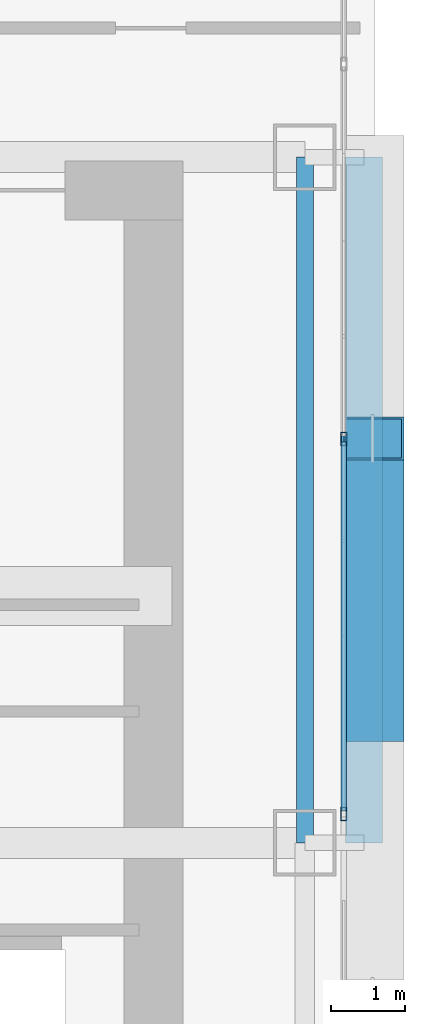
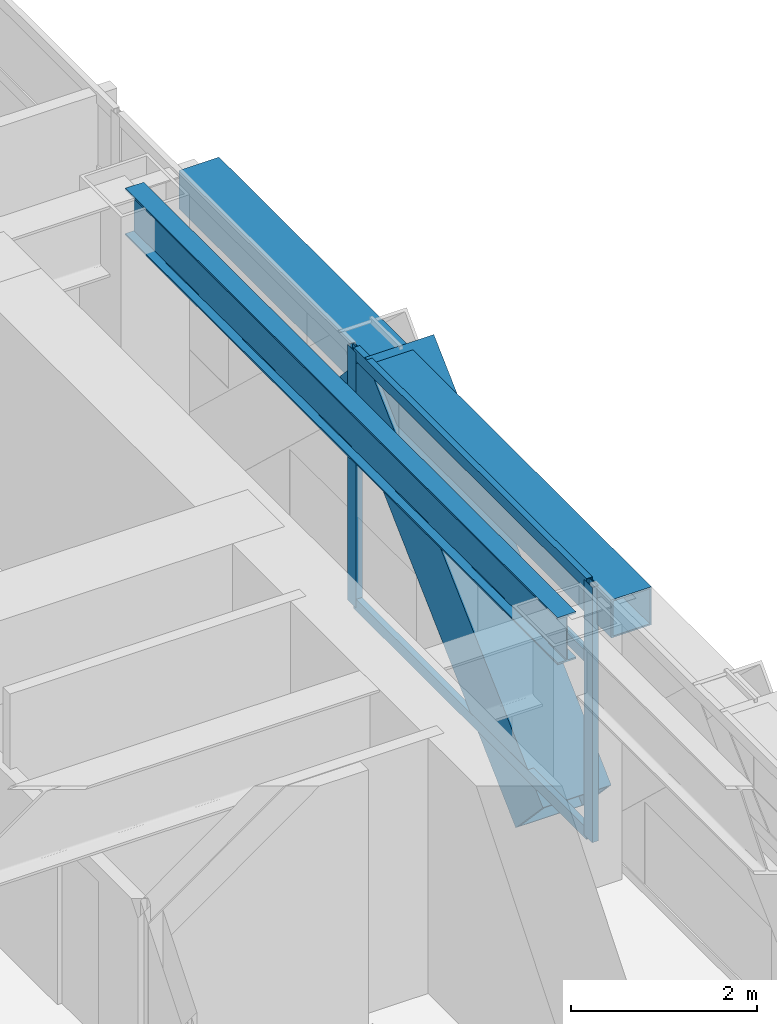
# One storey, part 15 of 36: 6 members, 2 beams, 1 element without a shape of its own.
"""IFC4 building model written with IfcOpenShell, lengths in metres."""

from ifc_helpers import new_model, si_unit, direction, frame, origin, origin_2d, place, context, subcontext, project, spatial, hollow_rectangle, i_section, extrude, source, transform, mapped, material, layer, layer_set, material_profile, profile_set, type_object, element, aggregate, save


model = new_model("IFC4")

# Units and contexts
model_context = context("Model", 3, precision=1e-05, world=origin(), true_north=direction((0.0, 1.0)))
body_context = subcontext(model_context, "Body", "Model", "MODEL_VIEW")
ifc_project = project(units=[si_unit("LENGTHUNIT", "METRE"), si_unit("AREAUNIT", "SQUARE_METRE"), si_unit("VOLUMEUNIT", "CUBIC_METRE"), si_unit("PLANEANGLEUNIT", "RADIAN"), si_unit("MASSUNIT", "GRAM", prefix="KILO")], contexts=[model_context])

# Site, building, storey
site_placement = place(None, origin())
site = spatial("IfcSite", under=ifc_project, at=site_placement, CompositionType="ELEMENT")
building_placement = place(site_placement, origin())
building = spatial("IfcBuilding", under=site, at=building_placement, Name="Ocotamira Hotel", CompositionType="ELEMENT")
storey_placement = place(building_placement, frame((0.0, 0.0, 42.0)))
storey = spatial("IfcBuildingStorey", under=building, at=storey_placement, Name="L09", CompositionType="ELEMENT", Elevation=42.0)

# Beams
ifc_material_1 = material(Name="Steel ASTM A992 Grade 50", Category="steel")
ifc_material_profile_1 = material_profile(ifc_material_1, i_section(OverallWidth=0.22998046875, OverallDepth=0.616943359375, WebThickness=0.01318359375, FlangeThickness=0.022216796875, FilletRadius=0.012939453125, at=origin_2d()), Name="W24X94")
ifc_profile_set_1 = profile_set([ifc_material_profile_1], Name="Steel ASTM A992 Grade 50")
beam_type_1 = type_object("IfcBeamType", Name="BM-PRIM-W24X94", PredefinedType="BEAM", material=ifc_profile_set_1)
shared_shape_1 = source(origin(), body_context, "Body", "SweptSolid", [
    extrude(i_section(OverallWidth=0.22998046875, OverallDepth=0.616943359375, WebThickness=0.01318359375, FlangeThickness=0.022216796875, FilletRadius=0.012939453125, at=origin_2d()), origin(), (0.0, 0.0, 1.0), 9.300048828125),
])
beam_1_placement = place(storey_placement, frame((55.050048828125, 28.14990234375, 3.04150390625), z_axis=(0.0, 1.0, 0.0), x_axis=(-1.0, 0.0, 0.0)))
element("IfcBeam", 1, at=beam_1_placement, inside=storey, type_object=beam_type_1, Name="L09 Beam X55.05 Y28.15-37.45", PredefinedType="BEAM", context=body_context, shape_type="MappedRepresentation", body=[
    mapped(shared_shape_1, transform((0.0, 0.0, 0.0), scale=1.0)),
])
ifc_material_2 = material(Name="Steel ASTM A500 Grade C", Category="steel")
ifc_material_profile_2 = material_profile(ifc_material_2, hollow_rectangle(XDim=0.5, YDim=0.5, WallThickness=0.02001953125, at=origin_2d()), Name="HSS500X500X20")
ifc_profile_set_2 = profile_set([ifc_material_profile_2], Name="Steel ASTM A500 Grade C")
beam_type_2 = type_object("IfcBeamType", Name="BM-SPAN-HSS500", PredefinedType="USERDEFINED", material=ifc_profile_set_2)
shared_shape_2 = source(origin(), body_context, "Body", "SweptSolid", [
    extrude(hollow_rectangle(XDim=0.5, YDim=0.5, WallThickness=0.02001953125, at=origin_2d()), origin(), (0.0, 0.0, 1.0), 9.300048828125),
])
beam_2_placement = place(storey_placement, frame((55.85009765625, 28.14990234375, 3.10009765625), z_axis=(0.0, 1.0, 0.0), x_axis=(-1.0, 0.0, 0.0)))
element("IfcBeam", 2, at=beam_2_placement, inside=storey, type_object=beam_type_2, Name="L09 Edge Spandrel E Y28.15-37.45", ObjectType="SPANDREL", PredefinedType="USERDEFINED", context=body_context, shape_type="MappedRepresentation", body=[
    mapped(shared_shape_2, transform((0.0, 0.0, 0.0), scale=1.0)),
])

# Member
ifc_material_3 = material(Name="Pale-metal coated steel ASTM A913 Grade 65", Category="steel")
ifc_material_profile_3 = material_profile(ifc_material_3, hollow_rectangle(XDim=0.85009765625, YDim=0.85009765625, WallThickness=0.035888671875, at=origin_2d()), Name="BOX850X850X36")
ifc_profile_set_3 = profile_set([ifc_material_profile_3], Name="Pale-metal coated steel ASTM A913 Grade 65")
member_type_1 = type_object("IfcMemberType", Name="MEM-EXO-BOX850", PredefinedType="BRACE", material=ifc_profile_set_3)
shared_shape_3 = source(origin(), body_context, "Body", "SweptSolid", [
    extrude(hollow_rectangle(XDim=0.85009765625, YDim=0.85009765625, WallThickness=0.035888671875, at=origin_2d()), origin(), (0.0, 0.0, 1.0), 5.24658203125),
])
member_1_placement = place(storey_placement, frame((55.969970703125, 29.816650390625, -0.5), z_axis=(0.0, 0.727442733726, 0.686168397078), x_axis=(-1.0, 0.0, 0.0)))
element("IfcMember", 3, at=member_1_placement, inside=storey, type_object=member_type_1, Name="L09 Exoskeleton Diagrid E2.1", PredefinedType="BRACE", context=body_context, shape_type="MappedRepresentation", body=[
    mapped(shared_shape_3, transform((0.0, 0.0, 0.0), scale=1.0)),
])

# Curtain wall, members
ifc_material_4 = material(Name="Anodised pale-metal aluminium and solar glass", Category="aluminium")
ifc_layer = layer(ifc_material_4, 0.179931640625)
ifc_layer_set = layer_set([ifc_layer], Name="Anodised pale-metal aluminium and solar glass")
curtain_wall_type = type_object("IfcCurtainWallType", Name="CW-SYS2-Z1", PredefinedType="NOTDEFINED", material=ifc_layer_set)
curtain_wall_placement = place(storey_placement, origin())
curtain_wall = element("IfcCurtainWall", 4, at=curtain_wall_placement, inside=storey, type_object=curtain_wall_type, Name="L09 Curtain Wall CW-2 CW-L09-E", PredefinedType="NOTDEFINED")
ifc_material_5 = material(Name="Anodised pale-metal aluminium 6063-T6", Category="aluminium")
ifc_material_profile_4 = material_profile(ifc_material_5, hollow_rectangle(XDim=0.074951171875, YDim=0.14990234375, WallThickness=0.006103515625, at=origin_2d()), Name="HSS150X75X6")
ifc_profile_set_4 = profile_set([ifc_material_profile_4], Name="Anodised pale-metal aluminium 6063-T6")
member_type_2 = type_object("IfcMemberType", Name="CWT-150X75", PredefinedType="USERDEFINED", material=ifc_profile_set_4)
shared_shape_4 = source(origin(), body_context, "Body", "SweptSolid", [
    extrude(hollow_rectangle(XDim=0.074951171875, YDim=0.14990234375, WallThickness=0.006103515625, at=origin_2d()), origin(), (0.0, 0.0, 1.0), 5.005859375),
])
member_2_placement = place(storey_placement, frame((55.580078125, 28.582763671875, 0.03759765625), z_axis=(0.0, 1.0, 0.0), x_axis=(-1.0, 0.0, 0.0)))
member_2 = element("IfcMember", 5, at=member_2_placement, type_object=member_type_2, Name="CW-2 transom 5.1", ObjectType="TRANSOM", PredefinedType="USERDEFINED", context=body_context, shape_type="MappedRepresentation", body=[
    mapped(shared_shape_4, transform((0.0, 0.0, 0.0), scale=1.0)),
])
member_3_placement = place(storey_placement, frame((55.580078125, 28.582763671875, 2.35009765625), z_axis=(0.0, 1.0, 0.0), x_axis=(-1.0, 0.0, 0.0)))
member_3 = element("IfcMember", 6, at=member_3_placement, type_object=member_type_2, Name="CW-2 transom 5.2", ObjectType="TRANSOM", PredefinedType="USERDEFINED", context=body_context, shape_type="MappedRepresentation", body=[
    mapped(shared_shape_4, transform((0.0, 0.0, 0.0), scale=1.0)),
])
member_4_placement = place(storey_placement, frame((55.580078125, 28.582763671875, 3.3125), z_axis=(0.0, 1.0, 0.0), x_axis=(-1.0, 0.0, 0.0)))
member_4 = element("IfcMember", 7, at=member_4_placement, type_object=member_type_2, Name="CW-2 transom 5.3", ObjectType="TRANSOM", PredefinedType="USERDEFINED", context=body_context, shape_type="MappedRepresentation", body=[
    mapped(shared_shape_4, transform((0.0, 0.0, 0.0), scale=1.0)),
])
ifc_material_profile_5 = material_profile(ifc_material_5, hollow_rectangle(XDim=0.080078125, YDim=0.179931640625, WallThickness=0.006103515625, at=origin_2d()), Name="HSS180X80X6")
ifc_profile_set_5 = profile_set([ifc_material_profile_5], Name="Anodised pale-metal aluminium 6063-T6")
member_type_3 = type_object("IfcMemberType", Name="CWM-180X75", PredefinedType="MULLION", material=ifc_profile_set_5)
shared_shape_5 = source(origin(), body_context, "Body", "SweptSolid", [
    extrude(hollow_rectangle(XDim=0.080078125, YDim=0.179931640625, WallThickness=0.006103515625, at=origin_2d()), origin(), (0.0, 0.0, 1.0), 3.35009765625),
])
member_5_placement = place(storey_placement, frame((55.580078125, 28.54296875, 0.0), z_axis=(0.0, 0.0, 1.0), x_axis=(-1.0, 0.0, 0.0)))
member_5 = element("IfcMember", 8, at=member_5_placement, type_object=member_type_3, Name="CW-2 mullion 5", PredefinedType="MULLION", context=body_context, shape_type="MappedRepresentation", body=[
    mapped(shared_shape_5, transform((0.0, 0.0, 0.0), scale=1.0)),
])
member_6_placement = place(storey_placement, frame((55.580078125, 33.628662109375, 0.0), z_axis=(0.0, 0.0, 1.0), x_axis=(-1.0, 0.0, 0.0)))
member_6 = element("IfcMember", 9, at=member_6_placement, type_object=member_type_3, Name="CW-2 mullion 6", PredefinedType="MULLION", context=body_context, shape_type="MappedRepresentation", body=[
    mapped(shared_shape_5, transform((0.0, 0.0, 0.0), scale=1.0)),
])
aggregate(curtain_wall, [member_5, member_6, member_2, member_3, member_4])

save(model, "model.ifc")
